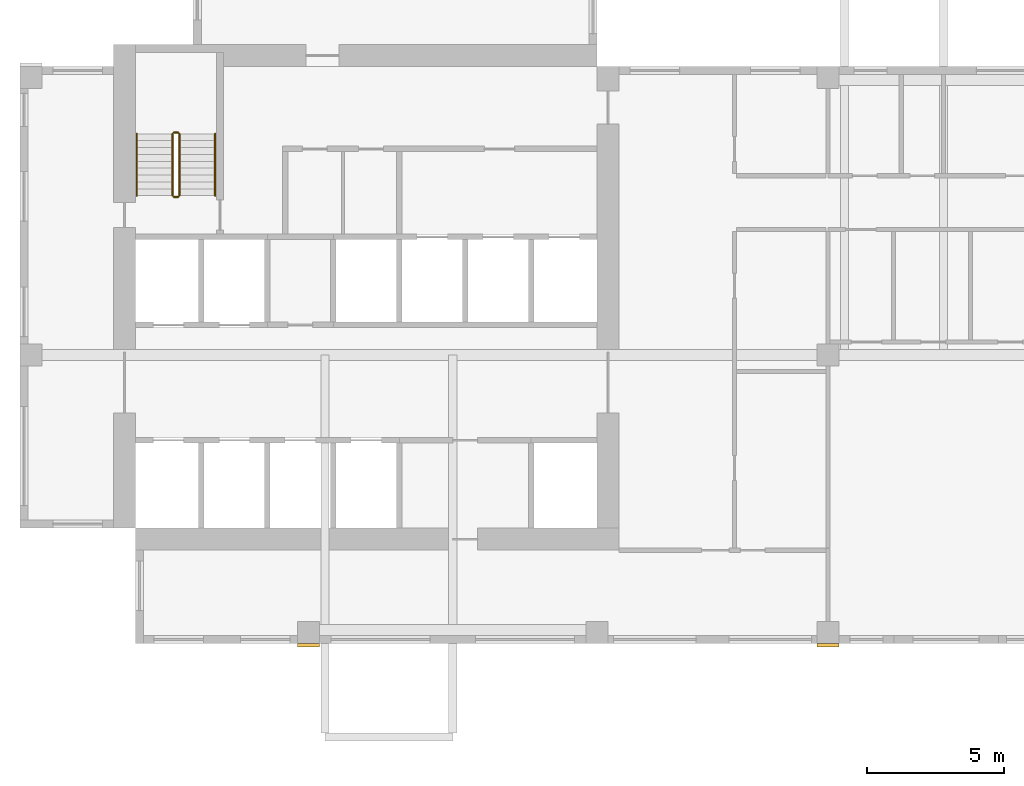
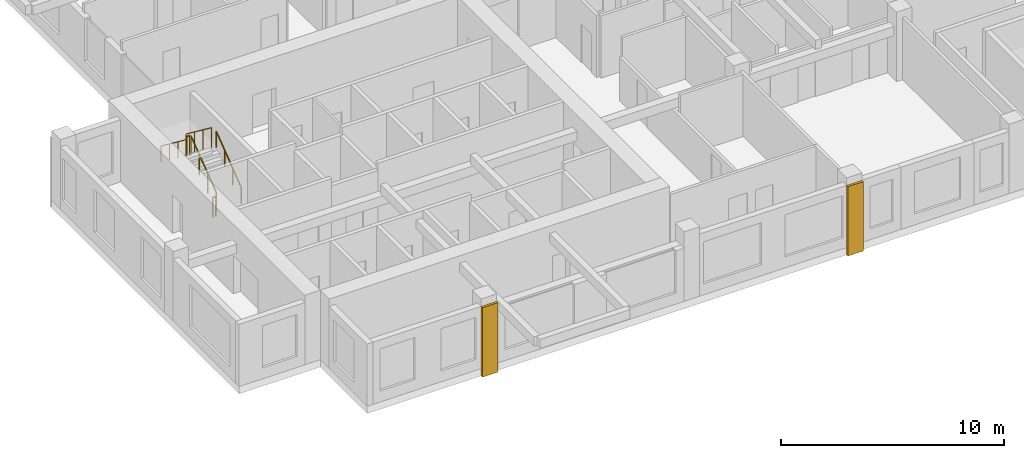
# One storey, part 8 of 11: 6 railings, 2 coverings.
"""IFC4 building model written with IfcOpenShell, lengths in metres."""

from ifc_helpers import new_model, si_unit, direction, frame, origin, origin_2d, place, context, subcontext, project, spatial, rectangle, circle, extrude, source, transform, mapped, material, type_object, element, save


model = new_model("IFC4")

# Units and contexts
model_context = context("Model", 3, precision=1e-05, world=origin(), true_north=direction((0.0, 1.0)))
body_context = subcontext(model_context, "Body", "Model", "MODEL_VIEW")
ifc_project = project(units=[si_unit("LENGTHUNIT", "METRE"), si_unit("AREAUNIT", "SQUARE_METRE"), si_unit("VOLUMEUNIT", "CUBIC_METRE"), si_unit("PLANEANGLEUNIT", "RADIAN"), si_unit("MASSUNIT", "GRAM", prefix="KILO")], contexts=[model_context])

# Site, building, storey
site_placement = place(None, origin())
site = spatial("IfcSite", under=ifc_project, at=site_placement, CompositionType="ELEMENT")
building_placement = place(site_placement, origin())
building = spatial("IfcBuilding", under=site, at=building_placement, Name="Aurelian Terraces", CompositionType="ELEMENT")
storey_placement = place(building_placement, frame((0.0, 0.0, 250.0)))
storey = spatial("IfcBuildingStorey", under=building, at=storey_placement, Name="L57", CompositionType="ELEMENT", Elevation=250.0)

# Coverings
ifc_material_1 = material(Name="Terracotta rainscreen cladding relief", Category="masonry")
covering_type = type_object("IfcCoveringType", Name="BAGUETTE-TC", PredefinedType="CLADDING", material=ifc_material_1)
shared_shape_1 = source(origin(), body_context, "Body", "SweptSolid", [
    extrude(rectangle(XDim=0.8, YDim=0.12, at=origin_2d()), origin(), (0.0, 0.0, 1.0), 3.8),
])
for number, where, z_axis, x_axis, name in (
    (1, (10.5, -0.06, -0.4), (0.0, 0.0, 1.0), (1.0, 0.0, 0.0), "BAGUETTE pier L57 1"),
    (2, (29.4, -0.06, -0.4), (0.0, 0.0, 1.0), (1.0, 0.0, 0.0), "BAGUETTE pier L57 2"),
):
    element("IfcCovering", number, at=place(storey_placement, frame(where, z_axis=z_axis, x_axis=x_axis)), inside=storey, type_object=covering_type, Name=name, PredefinedType="CLADDING", context=body_context, shape_type="MappedRepresentation", body=[
        mapped(shared_shape_1, transform((0.0, 0.0, 0.0), scale=1.0)),
    ])

# Railings
ifc_material_2 = material(Name="Stainless steel", Category="steel")
railing_type_1 = type_object("IfcRailingType", Name="Stair guard 1100", PredefinedType="GUARDRAIL", material=ifc_material_2)
shared_shape_2 = source(origin(), body_context, "Body", "SweptSolid", [
    extrude(circle(Radius=0.024, at=origin_2d()), frame((0.0, 0.0, 1.076), z_axis=(-1.0, 0.0, 0.0), x_axis=(0.0, -1.0, 0.0)), (0.0, 0.0, 1.0), 0.15),
    extrude(circle(Radius=0.021, at=origin_2d()), origin(), (0.0, 0.0, 1.0), 1.052),
    extrude(circle(Radius=0.021, at=origin_2d()), frame((-0.15, 0.0, 0.0)), (0.0, 0.0, 1.0), 1.052),
])
for number, where, name in (
    (3, (5.75, 18.6, 1.9), "L57 S1 stair guard 2"),
    (4, (5.75, 16.25, 0.0), "L57 S1 stair guard 4"),
):
    element("IfcRailing", number, at=place(storey_placement, frame(where)), inside=storey, type_object=railing_type_1, Name=name, PredefinedType="GUARDRAIL", context=body_context, shape_type="MappedRepresentation", body=[
        mapped(shared_shape_2, transform((0.0, 0.0, 0.0), scale=1.0)),
    ])
shared_shape_3 = source(origin(), body_context, "Body", "SweptSolid", [
    extrude(circle(Radius=0.024, at=origin_2d()), frame((0.0, 0.0, 1.076), z_axis=(0.0, 0.796162194123, 0.605083267534), x_axis=(-1.0, 0.0, 0.0)), (0.0, 0.0, 1.0), 2.8261),
    extrude(circle(Radius=0.021, at=origin_2d()), origin(), (0.0, 0.0, 1.0), 1.052),
    extrude(circle(Radius=0.021, at=origin_2d()), frame((0.0, 0.75, 0.57)), (0.0, 0.0, 1.0), 1.052),
    extrude(circle(Radius=0.021, at=origin_2d()), frame((0.0, 1.5, 1.14)), (0.0, 0.0, 1.0), 1.052),
    extrude(circle(Radius=0.021, at=origin_2d()), frame((0.0, 2.25, 1.71)), (0.0, 0.0, 1.0), 1.052),
])
railing_1_placement = place(storey_placement, frame((5.8, 16.3, 0.19)))
element("IfcRailing", 5, at=railing_1_placement, inside=storey, type_object=railing_type_1, Name="L57 S1 stair guard 1", PredefinedType="GUARDRAIL", context=body_context, shape_type="MappedRepresentation", body=[
    mapped(shared_shape_3, transform((0.0, 0.0, 0.0), scale=1.0)),
])
shared_shape_4 = source(origin(), body_context, "Body", "SweptSolid", [
    extrude(circle(Radius=0.024, at=origin_2d()), frame((0.0, 0.0, 1.076), z_axis=(0.0, -0.796162194123, 0.605083267534), x_axis=(1.0, 0.0, 0.0)), (0.0, 0.0, 1.0), 2.8261),
    extrude(circle(Radius=0.021, at=origin_2d()), origin(), (0.0, 0.0, 1.0), 1.052),
    extrude(circle(Radius=0.021, at=origin_2d()), frame((0.0, -0.75, 0.57)), (0.0, 0.0, 1.0), 1.052),
    extrude(circle(Radius=0.021, at=origin_2d()), frame((0.0, -1.5, 1.14)), (0.0, 0.0, 1.0), 1.052),
    extrude(circle(Radius=0.021, at=origin_2d()), frame((0.0, -2.25, 1.71)), (0.0, 0.0, 1.0), 1.052),
])
railing_2_placement = place(storey_placement, frame((5.55, 18.55, 2.09)))
element("IfcRailing", 6, at=railing_2_placement, inside=storey, type_object=railing_type_1, Name="L57 S1 stair guard 3", PredefinedType="GUARDRAIL", context=body_context, shape_type="MappedRepresentation", body=[
    mapped(shared_shape_4, transform((0.0, 0.0, 0.0), scale=1.0)),
])
railing_type_2 = type_object("IfcRailingType", Name="Stair handrail", PredefinedType="HANDRAIL", material=ifc_material_2)
shared_shape_5 = source(origin(), body_context, "Body", "SweptSolid", [
    extrude(circle(Radius=0.024, at=origin_2d()), frame((0.0, 0.0, 0.876), z_axis=(0.0, 0.796162194123, 0.605083267534), x_axis=(-1.0, 0.0, 0.0)), (0.0, 0.0, 1.0), 2.8261),
    extrude(circle(Radius=0.021, at=origin_2d()), origin(), (0.0, 0.0, 1.0), 0.852),
    extrude(circle(Radius=0.021, at=origin_2d()), frame((0.0, 0.75, 0.57)), (0.0, 0.0, 1.0), 0.852),
    extrude(circle(Radius=0.021, at=origin_2d()), frame((0.0, 1.5, 1.14)), (0.0, 0.0, 1.0), 0.852),
    extrude(circle(Radius=0.021, at=origin_2d()), frame((0.0, 2.25, 1.71)), (0.0, 0.0, 1.0), 0.852),
])
railing_3_placement = place(storey_placement, frame((7.1, 16.3, 0.19)))
element("IfcRailing", 7, at=railing_3_placement, inside=storey, type_object=railing_type_2, Name="L57 S1 stair handrail 1", PredefinedType="HANDRAIL", context=body_context, shape_type="MappedRepresentation", body=[
    mapped(shared_shape_5, transform((0.0, 0.0, 0.0), scale=1.0)),
])
shared_shape_6 = source(origin(), body_context, "Body", "SweptSolid", [
    extrude(circle(Radius=0.024, at=origin_2d()), frame((0.0, 0.0, 0.876), z_axis=(0.0, -0.796162194123, 0.605083267534), x_axis=(1.0, 0.0, 0.0)), (0.0, 0.0, 1.0), 2.8261),
    extrude(circle(Radius=0.021, at=origin_2d()), origin(), (0.0, 0.0, 1.0), 0.852),
    extrude(circle(Radius=0.021, at=origin_2d()), frame((0.0, -0.75, 0.57)), (0.0, 0.0, 1.0), 0.852),
    extrude(circle(Radius=0.021, at=origin_2d()), frame((0.0, -1.5, 1.14)), (0.0, 0.0, 1.0), 0.852),
    extrude(circle(Radius=0.021, at=origin_2d()), frame((0.0, -2.25, 1.71)), (0.0, 0.0, 1.0), 0.852),
])
railing_4_placement = place(storey_placement, frame((4.25, 18.55, 2.09)))
element("IfcRailing", 8, at=railing_4_placement, inside=storey, type_object=railing_type_2, Name="L57 S1 stair handrail 2", PredefinedType="HANDRAIL", context=body_context, shape_type="MappedRepresentation", body=[
    mapped(shared_shape_6, transform((0.0, 0.0, 0.0), scale=1.0)),
])

save(model, "model.ifc")
